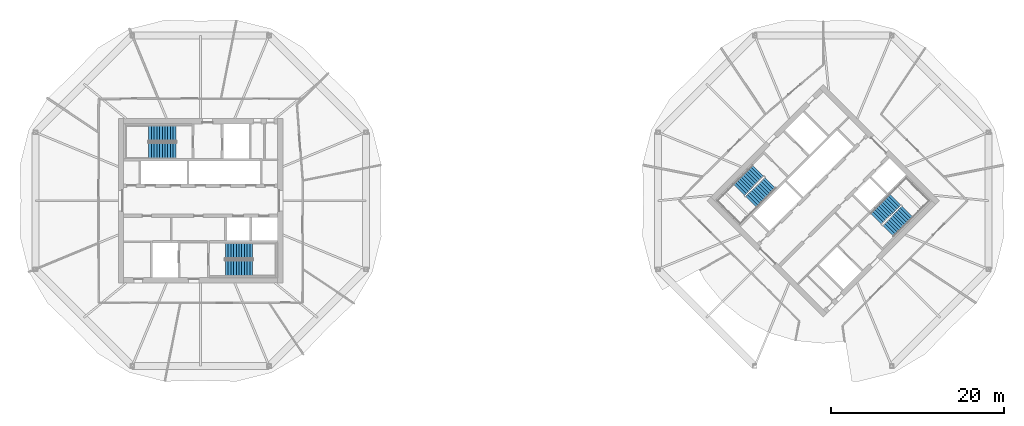
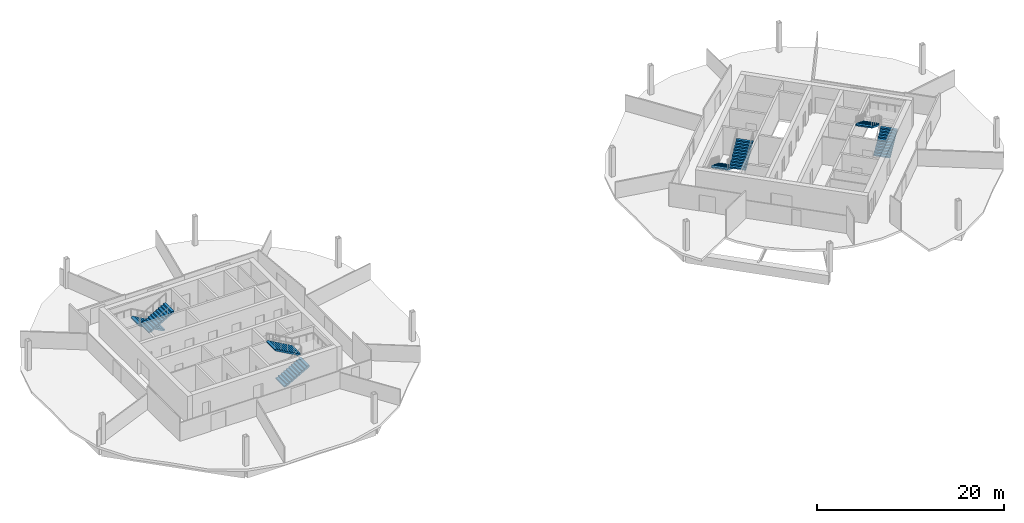
# One storey, part 9 of 10: 8 stair flights, 4 elements without a shape of their own.
"""IFC4 building model written with IfcOpenShell, lengths in metres."""

import ifcopenshell
import ifcopenshell.guid

model = None  # the IFC model being written
_history = None  # IfcOwnerHistory: only IFC2X3 demands one
_inside = {}  # id of a spatial element -> (the spatial element, [elements in it])
_under = {}  # id of a project, library or spatial element -> (it, [spatial elements below it])
_declared = {}  # id of a project -> (the project, [libraries it declares])
_typed = {}  # id of a type object -> (the type object, [elements of that type])
_made_of = {}  # id of a material, layer set ... -> (it, [elements and type objects made of it])


def new_model(schema):
    """Start an empty IFC model of exactly this schema.

    Asked for "IFC4X3", IfcOpenShell would pick the latest addendum, in which some entities
    have other attributes; the version numbers below select the first issue.
    IFC2X3 requires an IfcOwnerHistory on every rooted entity: one is made here for all.
    """
    global model, _history
    if schema == "IFC4X3":
        model = ifcopenshell.file(schema_version=(4, 3, 0, 0))
    else:
        model = ifcopenshell.file(schema=schema)
    _inside.clear()
    _under.clear()
    _declared.clear()
    _typed.clear()
    _made_of.clear()
    _history = None
    if model.schema == "IFC2X3":
        org = make("IfcOrganization", Name="unknown")
        user = make(
            "IfcPersonAndOrganization",
            ThePerson=make("IfcPerson", FamilyName="unknown"),
            TheOrganization=org,
        )
        app = make(
            "IfcApplication",
            ApplicationDeveloper=org,
            Version="unknown",
            ApplicationFullName="unknown",
            ApplicationIdentifier="unknown",
        )
        _history = make(
            "IfcOwnerHistory",
            OwningUser=user,
            OwningApplication=app,
            ChangeAction="ADDED",
            CreationDate=0,
        )
    return model


def make(cls, **values):
    """One entity of the class cls with the attributes given. An attribute that is None is left unset."""
    return model.create_entity(
        cls, **{name: value for name, value in values.items() if value is not None}
    )


def rooted(cls, **values):
    """An entity with a GlobalId (a new one), such as an element, a storey or a relation."""
    return make(cls, GlobalId=ifcopenshell.guid.new(), OwnerHistory=_history, **values)


def si_unit(unit_type, name, prefix=None):
    """IfcSIUnit, for example si_unit("LENGTHUNIT", "METRE", prefix="MILLI")."""
    return make("IfcSIUnit", UnitType=unit_type, Prefix=prefix, Name=name)


def assignment(units):
    """IfcUnitAssignment: the units of a project."""
    return None if units is None else make("IfcUnitAssignment", Units=units)


def point(xyz):
    """IfcCartesianPoint."""
    return None if xyz is None else make("IfcCartesianPoint", Coordinates=xyz)


def direction(xyz):
    """IfcDirection."""
    return None if xyz is None else make("IfcDirection", DirectionRatios=xyz)


def frame(location, z_axis=None, x_axis=None):
    """IfcAxis2Placement3D, a coordinate frame: its origin and axes. An axis left out is left unset."""
    return make(
        "IfcAxis2Placement3D",
        Location=point(location),
        Axis=direction(z_axis),
        RefDirection=direction(x_axis),
    )


def origin():
    """The frame at (0, 0, 0) with its axes left unset."""
    return frame((0.0, 0.0, 0.0))


def place(relative_to, where):
    """IfcLocalPlacement: puts the frame where relative to a parent placement (None: the world)."""
    return make(
        "IfcLocalPlacement", PlacementRelTo=relative_to, RelativePlacement=where
    )


def context(
    kind, dimensions, precision=None, world=None, true_north=None, identifier=None
):
    """IfcGeometricRepresentationContext, for example the 3D "Model" context."""
    return make(
        "IfcGeometricRepresentationContext",
        ContextIdentifier=identifier,
        ContextType=kind,
        CoordinateSpaceDimension=dimensions,
        Precision=precision,
        WorldCoordinateSystem=world,
        TrueNorth=true_north,
    )


def subcontext(parent, identifier, kind, view, scale=None):
    """IfcGeometricRepresentationSubContext, for example "Body" below "Model"."""
    return make(
        "IfcGeometricRepresentationSubContext",
        ContextIdentifier=identifier,
        ContextType=kind,
        ParentContext=parent,
        TargetScale=scale,
        TargetView=view,
    )


def project(units=None, contexts=None):
    """IfcProject with its units and contexts."""
    return rooted(
        "IfcProject",
        Name="project",
        RepresentationContexts=contexts,
        UnitsInContext=assignment(units),
    )


def spatial(cls, under=None, at=None, **own):
    """A site, building, storey or space (cls), placed at a placement, below another one or the project."""
    s = rooted(cls, ObjectPlacement=at, **own)
    if under is not None:
        _under.setdefault(under.id(), (under, []))[1].append(s)
    return s


def polyline(points):
    """IfcPolyline through the points."""
    return make("IfcPolyline", Points=[point(p) for p in points])


def outline(outer, holes=None, kind="AREA"):
    """IfcArbitraryClosedProfileDef: a profile drawn as a closed curve; with holes, ...WithVoids."""
    if holes is None:
        return make("IfcArbitraryClosedProfileDef", ProfileType=kind, OuterCurve=outer)
    return make(
        "IfcArbitraryProfileDefWithVoids",
        ProfileType=kind,
        OuterCurve=outer,
        InnerCurves=holes,
    )


def extrude(swept, where, along, depth):
    """IfcExtrudedAreaSolid: the profile swept, set in the frame where, extruded along a direction by depth."""
    return make(
        "IfcExtrudedAreaSolid",
        SweptArea=swept,
        Position=where,
        ExtrudedDirection=direction(along),
        Depth=depth,
    )


def shape(context_of_items, identifier, shape_type, items):
    """IfcShapeRepresentation: the items that make up one representation, for example the "Body"."""
    return make(
        "IfcShapeRepresentation",
        ContextOfItems=context_of_items,
        RepresentationIdentifier=identifier,
        RepresentationType=shape_type,
        Items=items,
    )


def material(Name=None, Category=None):
    """IfcMaterial."""
    return make("IfcMaterial", Name=Name, Category=Category)


def made_of(thing, what):
    """Note that an element or type object is made of a material, layer set ...; save() writes the relation."""
    if what is not None:
        _made_of.setdefault(what.id(), (what, []))[1].append(thing)
    return thing


def type_object(cls, material=None, **own):
    """A type object (cls), such as IfcWallType, which elements share."""
    return made_of(rooted(cls, **own), material)


def element(
    cls,
    number,
    at=None,
    inside=None,
    cuts=None,
    type_object=None,
    material=None,
    context=None,
    identifier="Body",
    shape_type=None,
    held_by="IfcProductDefinitionShape",
    body=None,
    shapes=None,
    **own,
):
    """One element of the class cls, such as IfcWall. Its Tag is "e" and its number.

    at: its placement. inside: the storey or other place that contains it. cuts: it is an
    opening in that element (IfcRelVoidsElement). A single representation is given by context,
    identifier, shape_type and body (its items); several are given by shapes. held_by: the class
    of the entity that holds the representations. save() writes the other relations.
    """
    e = rooted(cls, Tag="e%d" % number, ObjectPlacement=at, **own)
    if body is not None:
        shapes = [shape(context, identifier, shape_type, body)]
    if shapes is not None:
        e.Representation = make(held_by, Representations=shapes)
    if inside is not None:
        _inside.setdefault(inside.id(), (inside, []))[1].append(e)
    if cuts is not None:
        rooted(
            "IfcRelVoidsElement", RelatingBuildingElement=cuts, RelatedOpeningElement=e
        )
    if type_object is not None:
        _typed.setdefault(type_object.id(), (type_object, []))[1].append(e)
    return made_of(e, material)


def aggregate(whole, parts):
    """IfcRelAggregates: a whole, such as a stair, and the parts it consists of."""
    return rooted("IfcRelAggregates", RelatingObject=whole, RelatedObjects=parts)


def save(model, path):
    """Write the relations noted so far, then the file.

    IfcRelAggregates (storeys below a building ...), IfcRelContainedInSpatialStructure (elements
    in a storey), IfcRelDefinesByType, IfcRelAssociatesMaterial and IfcRelDeclares: one each for
    every whole, place, type object, material and project.
    """
    for whole, parts in _under.values():
        aggregate(whole, parts)
    for where, things in _inside.values():
        rooted(
            "IfcRelContainedInSpatialStructure",
            RelatedElements=things,
            RelatingStructure=where,
        )
    for kind, things in _typed.values():
        rooted("IfcRelDefinesByType", RelatedObjects=things, RelatingType=kind)
    for what, things in _made_of.values():
        rooted("IfcRelAssociatesMaterial", RelatedObjects=things, RelatingMaterial=what)
    for by, libraries in _declared.values():
        rooted("IfcRelDeclares", RelatingContext=by, RelatedDefinitions=libraries)
    model.write(path)


model = new_model("IFC4")

# Units and contexts
model_context = context("Model", 3, precision=1e-05, world=origin(), true_north=direction((0.0, 1.0)))
body_context = subcontext(model_context, "Body", "Model", "MODEL_VIEW")
ifc_project = project(units=[si_unit("LENGTHUNIT", "METRE"), si_unit("AREAUNIT", "SQUARE_METRE"), si_unit("VOLUMEUNIT", "CUBIC_METRE"), si_unit("PLANEANGLEUNIT", "RADIAN"), si_unit("MASSUNIT", "GRAM", prefix="KILO")], contexts=[model_context])

# Site, building, storey
site_placement = place(None, origin())
site = spatial("IfcSite", under=ifc_project, at=site_placement, CompositionType="ELEMENT")
building_placement = place(site_placement, origin())
building = spatial("IfcBuilding", under=site, at=building_placement, Name="Ogive Gate Towers", CompositionType="ELEMENT")
storey_placement = place(building_placement, frame((0.0, 0.0, 212.39990234375)))
storey = spatial("IfcBuildingStorey", under=building, at=storey_placement, Name="L51", CompositionType="ELEMENT", Elevation=212.39990234375)

# Stair, stair flights
ifc_material = material(Name="Concrete C40/50", Category="concrete")
stair_type = type_object("IfcStairType", Name="Escape stair 1840 wide", PredefinedType="HALF_TURN_STAIR", material=ifc_material)
stair_1_placement = place(storey_placement, origin())
stair_1 = element("IfcStair", 1, at=stair_1_placement, inside=storey, type_object=stair_type, Name="L51 Escape stair 1", PredefinedType="HALF_TURN_STAIR")
stair_flight_type = type_object("IfcStairFlightType", Name="Stair flight 1840 wide", PredefinedType="STRAIGHT", material=ifc_material)
stair_flight_1_placement = place(storey_placement, frame((-38.864990234375, 7.780029296875, 0.0), z_axis=(0.0, 0.0, 1.0), x_axis=(-1.0, 0.0, 0.0)))
stair_flight_1 = element("IfcStairFlight", 2, at=stair_flight_1_placement, type_object=stair_flight_type, Name="ST1 flight 1", NumberOfRisers=11, NumberOfTreads=10, PredefinedType="STRAIGHT", RiserHeight=0.177272727, TreadLength=0.313636364, context=body_context, shape_type="SweptSolid", body=[
    extrude(outline(polyline([(0.0, 0.0), (0.0, 0.17724609375), (0.313720703125, 0.17724609375), (0.313720703125, 0.3544921875), (0.627197265625, 0.3544921875), (0.627197265625, 0.53173828125), (0.94091796875, 0.53173828125), (0.94091796875, 0.708984375), (1.254638671875, 0.708984375), (1.254638671875, 0.886474609375), (1.568115234375, 0.886474609375), (1.568115234375, 1.063720703125), (1.8818359375, 1.063720703125), (1.8818359375, 1.240966796875), (2.195556640625, 1.240966796875), (2.195556640625, 1.418212890625), (2.509033203125, 1.418212890625), (2.509033203125, 1.595458984375), (2.82275390625, 1.595458984375), (2.82275390625, 1.772705078125), (3.136474609375, 1.772705078125), (3.136474609375, 1.949951171875), (3.136474609375, 1.6005859375), (0.3046875, 0.0), (0.0, 0.0)])), frame((0.0, 0.919921875, 0.0), z_axis=(0.0, -1.0, 0.0), x_axis=(1.0, 0.0, 0.0)), (0.0, 0.0, 1.0), 1.840087890625),
])
stair_flight_2_placement = place(storey_placement, frame((-42.00146484375, 5.794921875, 1.9501953125), z_axis=(0.0, 0.0, 1.0), x_axis=(1.0, 0.0, 0.0)))
stair_flight_2 = element("IfcStairFlight", 3, at=stair_flight_2_placement, type_object=stair_flight_type, Name="ST1 flight 2", NumberOfRisers=11, NumberOfTreads=10, PredefinedType="STRAIGHT", RiserHeight=0.177272727, TreadLength=0.313636364, context=body_context, shape_type="SweptSolid", body=[
    extrude(outline(polyline([(0.0, 0.0), (0.0, 0.17724609375), (0.313720703125, 0.17724609375), (0.313720703125, 0.3544921875), (0.627197265625, 0.3544921875), (0.627197265625, 0.53173828125), (0.94091796875, 0.53173828125), (0.94091796875, 0.708984375), (1.254638671875, 0.708984375), (1.254638671875, 0.886474609375), (1.568115234375, 0.886474609375), (1.568115234375, 1.063720703125), (1.8818359375, 1.063720703125), (1.8818359375, 1.240966796875), (2.195556640625, 1.240966796875), (2.195556640625, 1.418212890625), (2.509033203125, 1.418212890625), (2.509033203125, 1.595458984375), (2.82275390625, 1.595458984375), (2.82275390625, 1.772705078125), (3.136474609375, 1.772705078125), (3.136474609375, 1.949951171875), (3.136474609375, 1.6005859375), (0.3046875, 0.0), (0.0, 0.0)])), frame((0.0, 0.919921875, 0.0), z_axis=(0.0, -1.0, 0.0), x_axis=(1.0, 0.0, 0.0)), (0.0, 0.0, 1.0), 1.840087890625),
])
aggregate(stair_1, [stair_flight_1, stair_flight_2])

stair_2_placement = place(storey_placement, origin())
stair_2 = element("IfcStair", 4, at=stair_2_placement, inside=storey, type_object=stair_type, Name="L51 Escape stair 2", PredefinedType="HALF_TURN_STAIR")
stair_flight_3_placement = place(storey_placement, frame((-33.135009765625, -7.780029296875, 0.0), z_axis=(0.0, 0.0, 1.0), x_axis=(1.0, 0.0, 0.0)))
stair_flight_3 = element("IfcStairFlight", 5, at=stair_flight_3_placement, type_object=stair_flight_type, Name="ST2 flight 1", NumberOfRisers=11, NumberOfTreads=10, PredefinedType="STRAIGHT", RiserHeight=0.177272727, TreadLength=0.313636364, context=body_context, shape_type="SweptSolid", body=[
    extrude(outline(polyline([(0.0, 0.0), (0.0, 0.17724609375), (0.313720703125, 0.17724609375), (0.313720703125, 0.3544921875), (0.627197265625, 0.3544921875), (0.627197265625, 0.53173828125), (0.94091796875, 0.53173828125), (0.94091796875, 0.708984375), (1.254638671875, 0.708984375), (1.254638671875, 0.886474609375), (1.568115234375, 0.886474609375), (1.568115234375, 1.063720703125), (1.8818359375, 1.063720703125), (1.8818359375, 1.240966796875), (2.195556640625, 1.240966796875), (2.195556640625, 1.418212890625), (2.509033203125, 1.418212890625), (2.509033203125, 1.595458984375), (2.82275390625, 1.595458984375), (2.82275390625, 1.772705078125), (3.136474609375, 1.772705078125), (3.136474609375, 1.949951171875), (3.136474609375, 1.6005859375), (0.3046875, 0.0), (0.0, 0.0)])), frame((0.0, 0.919921875, 0.0), z_axis=(0.0, -1.0, 0.0), x_axis=(1.0, 0.0, 0.0)), (0.0, 0.0, 1.0), 1.840087890625),
])
stair_flight_4_placement = place(storey_placement, frame((-29.99853515625, -5.794921875, 1.9501953125), z_axis=(0.0, 0.0, 1.0), x_axis=(-1.0, 0.0, 0.0)))
stair_flight_4 = element("IfcStairFlight", 6, at=stair_flight_4_placement, type_object=stair_flight_type, Name="ST2 flight 2", NumberOfRisers=11, NumberOfTreads=10, PredefinedType="STRAIGHT", RiserHeight=0.177272727, TreadLength=0.313636364, context=body_context, shape_type="SweptSolid", body=[
    extrude(outline(polyline([(0.0, 0.0), (0.0, 0.17724609375), (0.313720703125, 0.17724609375), (0.313720703125, 0.3544921875), (0.627197265625, 0.3544921875), (0.627197265625, 0.53173828125), (0.94091796875, 0.53173828125), (0.94091796875, 0.708984375), (1.254638671875, 0.708984375), (1.254638671875, 0.886474609375), (1.568115234375, 0.886474609375), (1.568115234375, 1.063720703125), (1.8818359375, 1.063720703125), (1.8818359375, 1.240966796875), (2.195556640625, 1.240966796875), (2.195556640625, 1.418212890625), (2.509033203125, 1.418212890625), (2.509033203125, 1.595458984375), (2.82275390625, 1.595458984375), (2.82275390625, 1.772705078125), (3.136474609375, 1.772705078125), (3.136474609375, 1.949951171875), (3.136474609375, 1.6005859375), (0.3046875, 0.0), (0.0, 0.0)])), frame((0.0, 0.919921875, 0.0), z_axis=(0.0, -1.0, 0.0), x_axis=(1.0, 0.0, 0.0)), (0.0, 0.0, 1.0), 1.840087890625),
])
aggregate(stair_2, [stair_flight_3, stair_flight_4])

stair_3_placement = place(storey_placement, origin())
stair_3 = element("IfcStair", 7, at=stair_3_placement, inside=storey, type_object=stair_type, Name="L51 Escape stair 1", PredefinedType="HALF_TURN_STAIR")
stair_flight_5_placement = place(storey_placement, frame((28.472900390625, 3.475341796875, 0.0), z_axis=(0.0, 0.0, 1.0), x_axis=(-0.707106781187, -0.707106781187, 0.0)))
stair_flight_5 = element("IfcStairFlight", 8, at=stair_flight_5_placement, type_object=stair_flight_type, Name="ST1 flight 1", NumberOfRisers=11, NumberOfTreads=10, PredefinedType="STRAIGHT", RiserHeight=0.177272727, TreadLength=0.313636364, context=body_context, shape_type="SweptSolid", body=[
    extrude(outline(polyline([(0.0, 0.0), (0.0, 0.17724609375), (0.313720703125, 0.17724609375), (0.313720703125, 0.3544921875), (0.627197265625, 0.3544921875), (0.627197265625, 0.53173828125), (0.94091796875, 0.53173828125), (0.94091796875, 0.708984375), (1.254638671875, 0.708984375), (1.254638671875, 0.886474609375), (1.568115234375, 0.886474609375), (1.568115234375, 1.063720703125), (1.8818359375, 1.063720703125), (1.8818359375, 1.240966796875), (2.195556640625, 1.240966796875), (2.195556640625, 1.418212890625), (2.509033203125, 1.418212890625), (2.509033203125, 1.595458984375), (2.82275390625, 1.595458984375), (2.82275390625, 1.772705078125), (3.136474609375, 1.772705078125), (3.136474609375, 1.949951171875), (3.136474609375, 1.6005859375), (0.3046875, 0.0), (0.0, 0.0)])), frame((0.0, 0.919921875, 0.0), z_axis=(0.0, -1.0, 0.0), x_axis=(1.0, 0.0, 0.0)), (0.0, 0.0, 1.0), 1.840087890625),
])
stair_flight_6_placement = place(storey_placement, frame((27.65869140625, -0.14599609375, 1.9501953125), z_axis=(0.0, 0.0, 1.0), x_axis=(0.707106781187, 0.707106781187, 0.0)))
stair_flight_6 = element("IfcStairFlight", 9, at=stair_flight_6_placement, type_object=stair_flight_type, Name="ST1 flight 2", NumberOfRisers=11, NumberOfTreads=10, PredefinedType="STRAIGHT", RiserHeight=0.177272727, TreadLength=0.313636364, context=body_context, shape_type="SweptSolid", body=[
    extrude(outline(polyline([(0.0, 0.0), (0.0, 0.17724609375), (0.313720703125, 0.17724609375), (0.313720703125, 0.3544921875), (0.627197265625, 0.3544921875), (0.627197265625, 0.53173828125), (0.94091796875, 0.53173828125), (0.94091796875, 0.708984375), (1.254638671875, 0.708984375), (1.254638671875, 0.886474609375), (1.568115234375, 0.886474609375), (1.568115234375, 1.063720703125), (1.8818359375, 1.063720703125), (1.8818359375, 1.240966796875), (2.195556640625, 1.240966796875), (2.195556640625, 1.418212890625), (2.509033203125, 1.418212890625), (2.509033203125, 1.595458984375), (2.82275390625, 1.595458984375), (2.82275390625, 1.772705078125), (3.136474609375, 1.772705078125), (3.136474609375, 1.949951171875), (3.136474609375, 1.6005859375), (0.3046875, 0.0), (0.0, 0.0)])), frame((0.0, 0.919921875, 0.0), z_axis=(0.0, -1.0, 0.0), x_axis=(1.0, 0.0, 0.0)), (0.0, 0.0, 1.0), 1.840087890625),
])
aggregate(stair_3, [stair_flight_5, stair_flight_6])

stair_4_placement = place(storey_placement, origin())
stair_4 = element("IfcStair", 10, at=stair_4_placement, inside=storey, type_object=stair_type, Name="L51 Escape stair 2", PredefinedType="HALF_TURN_STAIR")
stair_flight_7_placement = place(storey_placement, frame((43.527099609375, -3.475341796875, 0.0), z_axis=(0.0, 0.0, 1.0), x_axis=(0.707106781187, 0.707106781187, 0.0)))
stair_flight_7 = element("IfcStairFlight", 11, at=stair_flight_7_placement, type_object=stair_flight_type, Name="ST2 flight 1", NumberOfRisers=11, NumberOfTreads=10, PredefinedType="STRAIGHT", RiserHeight=0.177272727, TreadLength=0.313636364, context=body_context, shape_type="SweptSolid", body=[
    extrude(outline(polyline([(0.0, 0.0), (0.0, 0.17724609375), (0.313720703125, 0.17724609375), (0.313720703125, 0.3544921875), (0.627197265625, 0.3544921875), (0.627197265625, 0.53173828125), (0.94091796875, 0.53173828125), (0.94091796875, 0.708984375), (1.254638671875, 0.708984375), (1.254638671875, 0.886474609375), (1.568115234375, 0.886474609375), (1.568115234375, 1.063720703125), (1.8818359375, 1.063720703125), (1.8818359375, 1.240966796875), (2.195556640625, 1.240966796875), (2.195556640625, 1.418212890625), (2.509033203125, 1.418212890625), (2.509033203125, 1.595458984375), (2.82275390625, 1.595458984375), (2.82275390625, 1.772705078125), (3.136474609375, 1.772705078125), (3.136474609375, 1.949951171875), (3.136474609375, 1.6005859375), (0.3046875, 0.0), (0.0, 0.0)])), frame((0.0, 0.919921875, 0.0), z_axis=(0.0, -1.0, 0.0), x_axis=(1.0, 0.0, 0.0)), (0.0, 0.0, 1.0), 1.840087890625),
])
stair_flight_8_placement = place(storey_placement, frame((44.34130859375, 0.14599609375, 1.9501953125), z_axis=(0.0, 0.0, 1.0), x_axis=(-0.707106781187, -0.707106781187, 0.0)))
stair_flight_8 = element("IfcStairFlight", 12, at=stair_flight_8_placement, type_object=stair_flight_type, Name="ST2 flight 2", NumberOfRisers=11, NumberOfTreads=10, PredefinedType="STRAIGHT", RiserHeight=0.177272727, TreadLength=0.313636364, context=body_context, shape_type="SweptSolid", body=[
    extrude(outline(polyline([(0.0, 0.0), (0.0, 0.17724609375), (0.313720703125, 0.17724609375), (0.313720703125, 0.3544921875), (0.627197265625, 0.3544921875), (0.627197265625, 0.53173828125), (0.94091796875, 0.53173828125), (0.94091796875, 0.708984375), (1.254638671875, 0.708984375), (1.254638671875, 0.886474609375), (1.568115234375, 0.886474609375), (1.568115234375, 1.063720703125), (1.8818359375, 1.063720703125), (1.8818359375, 1.240966796875), (2.195556640625, 1.240966796875), (2.195556640625, 1.418212890625), (2.509033203125, 1.418212890625), (2.509033203125, 1.595458984375), (2.82275390625, 1.595458984375), (2.82275390625, 1.772705078125), (3.136474609375, 1.772705078125), (3.136474609375, 1.949951171875), (3.136474609375, 1.6005859375), (0.3046875, 0.0), (0.0, 0.0)])), frame((0.0, 0.919921875, 0.0), z_axis=(0.0, -1.0, 0.0), x_axis=(1.0, 0.0, 0.0)), (0.0, 0.0, 1.0), 1.840087890625),
])
aggregate(stair_4, [stair_flight_7, stair_flight_8])

save(model, "model.ifc")
